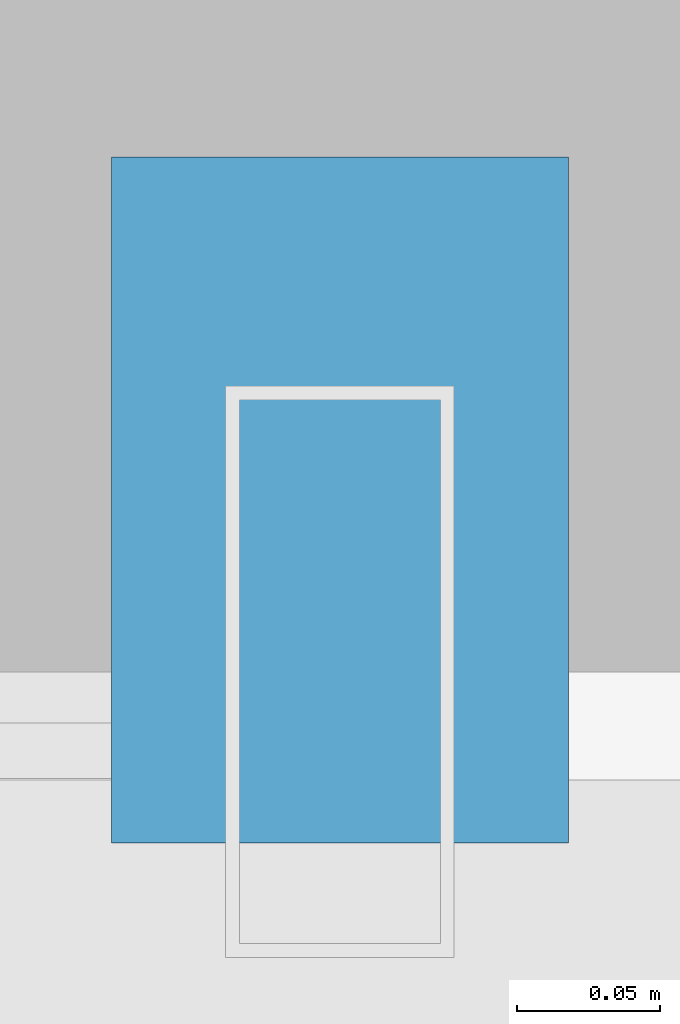
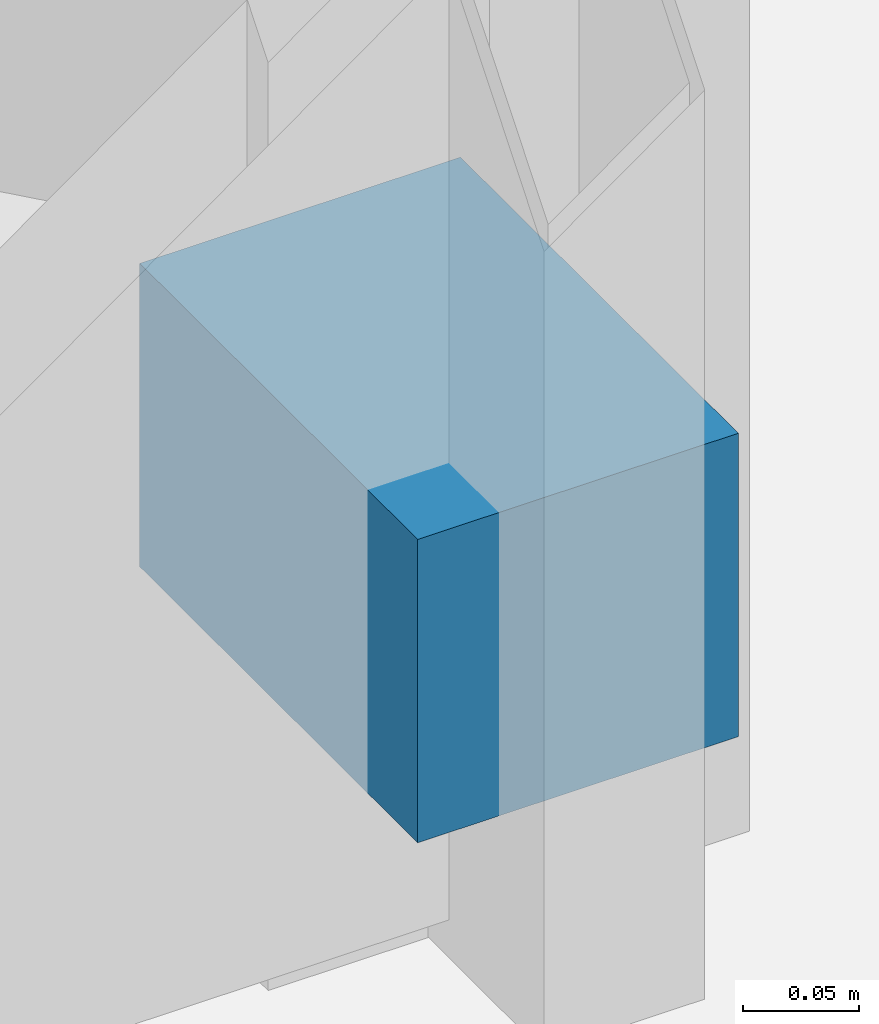
# One storey, part 35 of 38: 1 discrete accessory.
"""IFC4 building model written with IfcOpenShell, lengths in metres."""

from ifc_helpers import new_model, si_unit, direction, frame, origin, origin_2d, place, context, subcontext, project, spatial, rectangle, extrude, material, type_object, element, save


model = new_model("IFC4")

# Units and contexts
model_context = context("Model", 3, precision=1e-05, world=origin(), true_north=direction((0.0, 1.0)))
body_context = subcontext(model_context, "Body", "Model", "MODEL_VIEW")
ifc_project = project(units=[si_unit("LENGTHUNIT", "METRE"), si_unit("AREAUNIT", "SQUARE_METRE"), si_unit("VOLUMEUNIT", "CUBIC_METRE"), si_unit("PLANEANGLEUNIT", "RADIAN"), si_unit("MASSUNIT", "GRAM", prefix="KILO")], contexts=[model_context])

# Site, building, storey
site_placement = place(None, origin())
site = spatial("IfcSite", under=ifc_project, at=site_placement, CompositionType="ELEMENT")
building_placement = place(site_placement, origin())
building = spatial("IfcBuilding", under=site, at=building_placement, Name="Drelvath Grand Hotel", CompositionType="ELEMENT")
storey_placement = place(building_placement, frame((0.0, 0.0, 50.699951171875)))
storey = spatial("IfcBuildingStorey", under=building, at=storey_placement, Name="L11", CompositionType="ELEMENT", Elevation=50.699951171875)

# Discrete accessory
ifc_material = material(Name="Stainless Steel Grade 316", Category="steel")
discrete_accessory_type = type_object("IfcDiscreteAccessoryType", Name="Curtain Wall Fin Mounting Bracket Cleat", PredefinedType="BRACKET", material=ifc_material)
discrete_accessory_placement = place(storey_placement, frame((5.39990234375, 53.260009765625, 0.10009765625), z_axis=(0.0, 0.0, 1.0), x_axis=(1.0, 0.0, 0.0)))
element("IfcDiscreteAccessory", 1, at=discrete_accessory_placement, inside=storey, type_object=discrete_accessory_type, Name="L11 Fin Mounting Bracket CW02-L11-NM2-1", PredefinedType="BRACKET", context=body_context, shape_type="SweptSolid", body=[
    extrude(rectangle(XDim=0.159912109375, YDim=0.239990234375, at=origin_2d()), origin(), (0.0, 0.0, 1.0), 0.159912109375),
])

save(model, "model.ifc")
